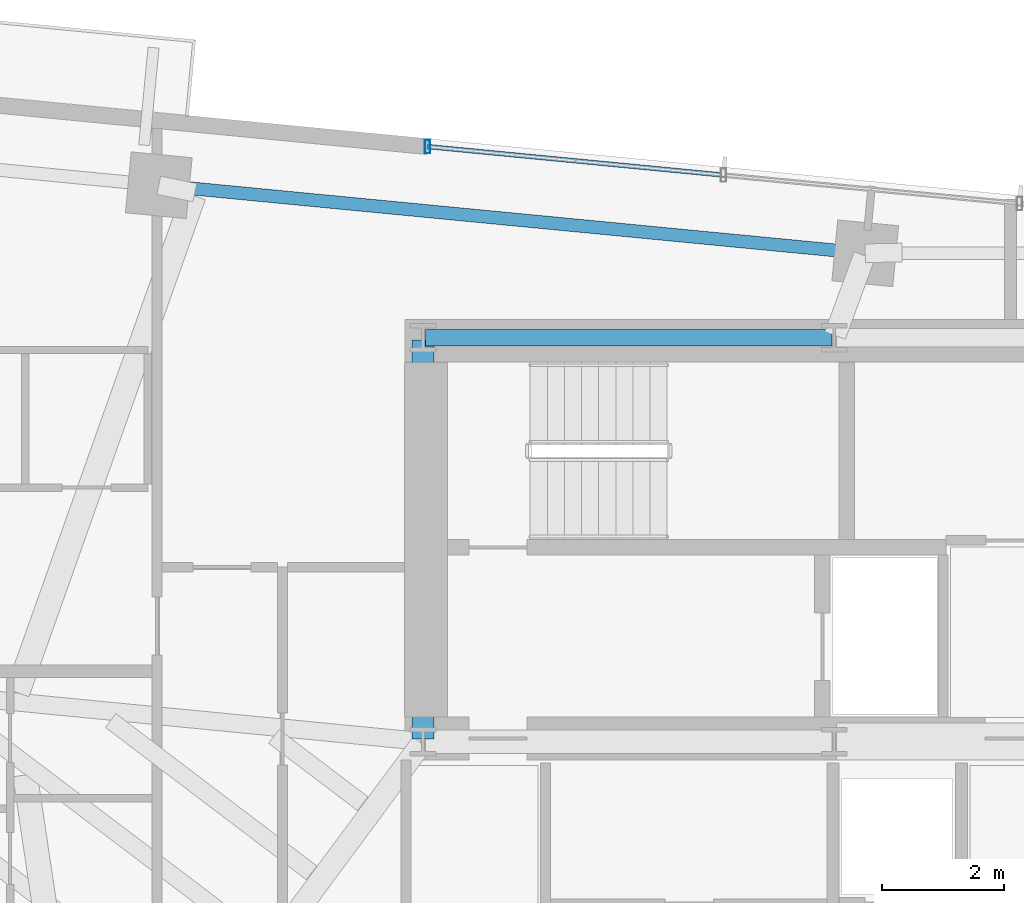
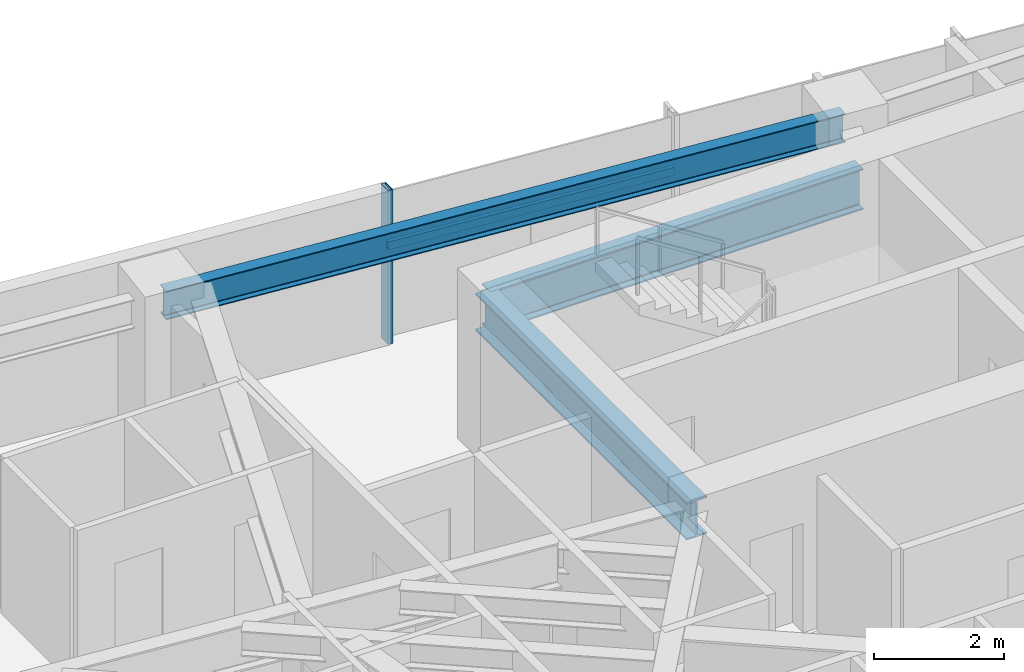
# One storey, part 7 of 20: 3 beams, 2 members, 1 element without a shape of its own.
"""IFC4 building model written with IfcOpenShell, lengths in metres."""

import ifcopenshell
import ifcopenshell.guid

model = None  # the IFC model being written
_history = None  # IfcOwnerHistory: only IFC2X3 demands one
_inside = {}  # id of a spatial element -> (the spatial element, [elements in it])
_under = {}  # id of a project, library or spatial element -> (it, [spatial elements below it])
_declared = {}  # id of a project -> (the project, [libraries it declares])
_typed = {}  # id of a type object -> (the type object, [elements of that type])
_made_of = {}  # id of a material, layer set ... -> (it, [elements and type objects made of it])


def new_model(schema):
    """Start an empty IFC model of exactly this schema.

    Asked for "IFC4X3", IfcOpenShell would pick the latest addendum, in which some entities
    have other attributes; the version numbers below select the first issue.
    IFC2X3 requires an IfcOwnerHistory on every rooted entity: one is made here for all.
    """
    global model, _history
    if schema == "IFC4X3":
        model = ifcopenshell.file(schema_version=(4, 3, 0, 0))
    else:
        model = ifcopenshell.file(schema=schema)
    _inside.clear()
    _under.clear()
    _declared.clear()
    _typed.clear()
    _made_of.clear()
    _history = None
    if model.schema == "IFC2X3":
        org = make("IfcOrganization", Name="unknown")
        user = make(
            "IfcPersonAndOrganization",
            ThePerson=make("IfcPerson", FamilyName="unknown"),
            TheOrganization=org,
        )
        app = make(
            "IfcApplication",
            ApplicationDeveloper=org,
            Version="unknown",
            ApplicationFullName="unknown",
            ApplicationIdentifier="unknown",
        )
        _history = make(
            "IfcOwnerHistory",
            OwningUser=user,
            OwningApplication=app,
            ChangeAction="ADDED",
            CreationDate=0,
        )
    return model


def make(cls, **values):
    """One entity of the class cls with the attributes given. An attribute that is None is left unset."""
    return model.create_entity(
        cls, **{name: value for name, value in values.items() if value is not None}
    )


def rooted(cls, **values):
    """An entity with a GlobalId (a new one), such as an element, a storey or a relation."""
    return make(cls, GlobalId=ifcopenshell.guid.new(), OwnerHistory=_history, **values)


def si_unit(unit_type, name, prefix=None):
    """IfcSIUnit, for example si_unit("LENGTHUNIT", "METRE", prefix="MILLI")."""
    return make("IfcSIUnit", UnitType=unit_type, Prefix=prefix, Name=name)


def assignment(units):
    """IfcUnitAssignment: the units of a project."""
    return None if units is None else make("IfcUnitAssignment", Units=units)


def point(xyz):
    """IfcCartesianPoint."""
    return None if xyz is None else make("IfcCartesianPoint", Coordinates=xyz)


def direction(xyz):
    """IfcDirection."""
    return None if xyz is None else make("IfcDirection", DirectionRatios=xyz)


def frame(location, z_axis=None, x_axis=None):
    """IfcAxis2Placement3D, a coordinate frame: its origin and axes. An axis left out is left unset."""
    return make(
        "IfcAxis2Placement3D",
        Location=point(location),
        Axis=direction(z_axis),
        RefDirection=direction(x_axis),
    )


def frame_2d(location, x_axis=None):
    """IfcAxis2Placement2D, a coordinate frame in the plane: its origin and x axis."""
    return make(
        "IfcAxis2Placement2D", Location=point(location), RefDirection=direction(x_axis)
    )


def origin():
    """The frame at (0, 0, 0) with its axes left unset."""
    return frame((0.0, 0.0, 0.0))


def origin_2d():
    """The frame at (0, 0) in the plane with its x axis left unset."""
    return frame_2d((0.0, 0.0))


def place(relative_to, where):
    """IfcLocalPlacement: puts the frame where relative to a parent placement (None: the world)."""
    return make(
        "IfcLocalPlacement", PlacementRelTo=relative_to, RelativePlacement=where
    )


def context(
    kind, dimensions, precision=None, world=None, true_north=None, identifier=None
):
    """IfcGeometricRepresentationContext, for example the 3D "Model" context."""
    return make(
        "IfcGeometricRepresentationContext",
        ContextIdentifier=identifier,
        ContextType=kind,
        CoordinateSpaceDimension=dimensions,
        Precision=precision,
        WorldCoordinateSystem=world,
        TrueNorth=true_north,
    )


def subcontext(parent, identifier, kind, view, scale=None):
    """IfcGeometricRepresentationSubContext, for example "Body" below "Model"."""
    return make(
        "IfcGeometricRepresentationSubContext",
        ContextIdentifier=identifier,
        ContextType=kind,
        ParentContext=parent,
        TargetScale=scale,
        TargetView=view,
    )


def project(units=None, contexts=None):
    """IfcProject with its units and contexts."""
    return rooted(
        "IfcProject",
        Name="project",
        RepresentationContexts=contexts,
        UnitsInContext=assignment(units),
    )


def spatial(cls, under=None, at=None, **own):
    """A site, building, storey or space (cls), placed at a placement, below another one or the project."""
    s = rooted(cls, ObjectPlacement=at, **own)
    if under is not None:
        _under.setdefault(under.id(), (under, []))[1].append(s)
    return s


def profile(cls, at=None, kind="AREA", **sizes):
    """A parametric profile (cls). Its sizes go by their IFC names, for example OverallWidth=200.0."""
    return make(cls, ProfileType=kind, Position=at, **sizes)


def hollow_rectangle(**sizes):
    """IfcRectangleHollowProfileDef."""
    return profile("IfcRectangleHollowProfileDef", **sizes)


def i_section(**sizes):
    """IfcIShapeProfileDef."""
    return profile("IfcIShapeProfileDef", **sizes)


def extrude(swept, where, along, depth):
    """IfcExtrudedAreaSolid: the profile swept, set in the frame where, extruded along a direction by depth."""
    return make(
        "IfcExtrudedAreaSolid",
        SweptArea=swept,
        Position=where,
        ExtrudedDirection=direction(along),
        Depth=depth,
    )


def shape(context_of_items, identifier, shape_type, items):
    """IfcShapeRepresentation: the items that make up one representation, for example the "Body"."""
    return make(
        "IfcShapeRepresentation",
        ContextOfItems=context_of_items,
        RepresentationIdentifier=identifier,
        RepresentationType=shape_type,
        Items=items,
    )


def source(mapping_origin, context_of_items, identifier, shape_type, items):
    """IfcRepresentationMap: a shape defined once, which mapped items show again and again."""
    return make(
        "IfcRepresentationMap",
        MappingOrigin=mapping_origin,
        MappedRepresentation=shape(context_of_items, identifier, shape_type, items),
    )


def transform(
    local_origin,
    x_axis=None,
    y_axis=None,
    z_axis=None,
    scale=None,
    scale2=None,
    scale3=None,
    uniform=True,
):
    """IfcCartesianTransformationOperator3D, or its non-uniform kind. x_axis, y_axis, z_axis: its Axis1, 2, 3."""
    if uniform:
        return make(
            "IfcCartesianTransformationOperator3D",
            Axis1=direction(x_axis),
            Axis2=direction(y_axis),
            LocalOrigin=point(local_origin),
            Scale=scale,
            Axis3=direction(z_axis),
        )
    return make(
        "IfcCartesianTransformationOperator3DnonUniform",
        Axis1=direction(x_axis),
        Axis2=direction(y_axis),
        LocalOrigin=point(local_origin),
        Scale=scale,
        Axis3=direction(z_axis),
        Scale2=scale2,
        Scale3=scale3,
    )


def mapped(mapping_source, mapping_target):
    """IfcMappedItem: shows the shape of a source again, moved by a transform."""
    return make(
        "IfcMappedItem", MappingSource=mapping_source, MappingTarget=mapping_target
    )


def material(Name=None, Category=None):
    """IfcMaterial."""
    return make("IfcMaterial", Name=Name, Category=Category)


def material_profile(
    of_material, cross_section, Name=None, Category=None, Priority=None
):
    """IfcMaterialProfile: a cross section and its material."""
    return make(
        "IfcMaterialProfile",
        Name=Name,
        Material=of_material,
        Profile=cross_section,
        Priority=Priority,
        Category=Category,
    )


def profile_set(profiles, Name=None, composite=None):
    """IfcMaterialProfileSet."""
    return make(
        "IfcMaterialProfileSet",
        Name=Name,
        MaterialProfiles=profiles,
        CompositeProfile=composite,
    )


def made_of(thing, what):
    """Note that an element or type object is made of a material, layer set ...; save() writes the relation."""
    if what is not None:
        _made_of.setdefault(what.id(), (what, []))[1].append(thing)
    return thing


def type_object(cls, material=None, **own):
    """A type object (cls), such as IfcWallType, which elements share."""
    return made_of(rooted(cls, **own), material)


def type_shapes(of_type, sources):
    """Give a type object the sources (RepresentationMaps) that its elements show as mapped items."""
    of_type.RepresentationMaps = sources


def element(
    cls,
    number,
    at=None,
    inside=None,
    cuts=None,
    type_object=None,
    material=None,
    context=None,
    identifier="Body",
    shape_type=None,
    held_by="IfcProductDefinitionShape",
    body=None,
    shapes=None,
    **own,
):
    """One element of the class cls, such as IfcWall. Its Tag is "e" and its number.

    at: its placement. inside: the storey or other place that contains it. cuts: it is an
    opening in that element (IfcRelVoidsElement). A single representation is given by context,
    identifier, shape_type and body (its items); several are given by shapes. held_by: the class
    of the entity that holds the representations. save() writes the other relations.
    """
    e = rooted(cls, Tag="e%d" % number, ObjectPlacement=at, **own)
    if body is not None:
        shapes = [shape(context, identifier, shape_type, body)]
    if shapes is not None:
        e.Representation = make(held_by, Representations=shapes)
    if inside is not None:
        _inside.setdefault(inside.id(), (inside, []))[1].append(e)
    if cuts is not None:
        rooted(
            "IfcRelVoidsElement", RelatingBuildingElement=cuts, RelatedOpeningElement=e
        )
    if type_object is not None:
        _typed.setdefault(type_object.id(), (type_object, []))[1].append(e)
    return made_of(e, material)


def aggregate(whole, parts):
    """IfcRelAggregates: a whole, such as a stair, and the parts it consists of."""
    return rooted("IfcRelAggregates", RelatingObject=whole, RelatedObjects=parts)


def save(model, path):
    """Write the relations noted so far, then the file.

    IfcRelAggregates (storeys below a building ...), IfcRelContainedInSpatialStructure (elements
    in a storey), IfcRelDefinesByType, IfcRelAssociatesMaterial and IfcRelDeclares: one each for
    every whole, place, type object, material and project.
    """
    for whole, parts in _under.values():
        aggregate(whole, parts)
    for where, things in _inside.values():
        rooted(
            "IfcRelContainedInSpatialStructure",
            RelatedElements=things,
            RelatingStructure=where,
        )
    for kind, things in _typed.values():
        rooted("IfcRelDefinesByType", RelatedObjects=things, RelatingType=kind)
    for what, things in _made_of.values():
        rooted("IfcRelAssociatesMaterial", RelatedObjects=things, RelatingMaterial=what)
    for by, libraries in _declared.values():
        rooted("IfcRelDeclares", RelatingContext=by, RelatedDefinitions=libraries)
    model.write(path)


model = new_model("IFC4")

# Units and contexts
model_context = context("Model", 3, precision=1e-05, world=origin(), true_north=direction((0.0, 1.0)))
body_context = subcontext(model_context, "Body", "Model", "MODEL_VIEW")
ifc_project = project(units=[si_unit("LENGTHUNIT", "METRE"), si_unit("AREAUNIT", "SQUARE_METRE"), si_unit("VOLUMEUNIT", "CUBIC_METRE"), si_unit("PLANEANGLEUNIT", "RADIAN"), si_unit("MASSUNIT", "GRAM", prefix="KILO")], contexts=[model_context])

# Site, building, storey
site_placement = place(None, origin())
site = spatial("IfcSite", under=ifc_project, at=site_placement, CompositionType="ELEMENT")
building_placement = place(site_placement, origin())
building = spatial("IfcBuilding", under=site, at=building_placement, Name="Astriad Promenade Condominiums", CompositionType="ELEMENT")
storey_placement = place(building_placement, frame((0.0, 0.0, 159.800048828125)))
storey = spatial("IfcBuildingStorey", under=building, at=storey_placement, Name="L46", CompositionType="ELEMENT", Elevation=159.800048828125)

# Beams
ifc_material_1 = material(Name="Steel ASTM A992 Grade 50", Category="steel")
ifc_material_profile_1 = material_profile(ifc_material_1, i_section(OverallWidth=0.267822265625, OverallDepth=0.76953125, WebThickness=0.015625, FlangeThickness=0.025390625, FilletRadius=0.021484375, at=origin_2d()), Name="W30X132")
ifc_profile_set_1 = profile_set([ifc_material_profile_1], Name="Steel ASTM A992 Grade 50")
beam_type_1 = type_object("IfcBeamType", Name="STEEL FLOOR GIRDER W30X132", PredefinedType="BEAM", material=ifc_profile_set_1)
shared_shape_1 = source(origin(), body_context, "Body", "SweptSolid", [
    extrude(i_section(OverallWidth=0.267822265625, OverallDepth=0.76953125, WebThickness=0.015625, FlangeThickness=0.025390625, FilletRadius=0.021484375, at=origin_2d()), origin(), (0.0, 0.0, 1.0), 6.64013671875),
])
type_shapes(beam_type_1, [shared_shape_1])
beam_1_placement = place(storey_placement, frame((26.43994140625, 24.0, 2.51513671875), z_axis=(1.0, 0.0, 0.0), x_axis=(0.0, 1.0, 0.0)))
element("IfcBeam", 1, at=beam_1_placement, inside=storey, type_object=beam_type_1, Name="Core Ring Beam CG-N1-L46", PredefinedType="BEAM", context=body_context, shape_type="MappedRepresentation", body=[
    mapped(shared_shape_1, transform((0.0, 0.0, 0.0), scale=1.0)),
])
ifc_material_profile_2 = material_profile(ifc_material_1, i_section(OverallWidth=0.35791015625, OverallDepth=0.706298828125, WebThickness=0.018310546875, FlangeThickness=0.0302734375, FilletRadius=0.020263671875, at=origin_2d()), Name="W27X178")
ifc_profile_set_2 = profile_set([ifc_material_profile_2], Name="Steel ASTM A992 Grade 50")
beam_type_2 = type_object("IfcBeamType", Name="STEEL FLOOR GIRDER W27X178", PredefinedType="BEAM", material=ifc_profile_set_2)
shared_shape_2 = source(origin(), body_context, "Body", "SweptSolid", [
    extrude(i_section(OverallWidth=0.35791015625, OverallDepth=0.706298828125, WebThickness=0.018310546875, FlangeThickness=0.0302734375, FilletRadius=0.020263671875, at=origin_2d()), origin(), (0.0, 0.0, 1.0), 6.52001953125),
])
type_shapes(beam_type_2, [shared_shape_2])
beam_2_placement = place(storey_placement, frame((26.39990234375, 17.43994140625, 2.546630859375), z_axis=(0.0, 1.0, 0.0), x_axis=(-1.0, 0.0, 0.0)))
element("IfcBeam", 2, at=beam_2_placement, inside=storey, type_object=beam_type_2, Name="Core Ring Beam CG-W1-L46", PredefinedType="BEAM", context=body_context, shape_type="MappedRepresentation", body=[
    mapped(shared_shape_2, transform((0.0, 0.0, 0.0), scale=1.0)),
])
ifc_material_profile_3 = material_profile(ifc_material_1, i_section(OverallWidth=0.210693359375, OverallDepth=0.53955078125, WebThickness=0.01171875, FlangeThickness=0.018798828125, FilletRadius=0.0166015625, at=origin_2d()), Name="W21X73")
ifc_profile_set_3 = profile_set([ifc_material_profile_3], Name="Steel ASTM A992 Grade 50")
beam_type_3 = type_object("IfcBeamType", Name="STEEL SPANDREL BEAM W21X73", PredefinedType="SPANDREL", material=ifc_profile_set_3)
shared_shape_3 = source(origin(), body_context, "Body", "SweptSolid", [
    extrude(i_section(OverallWidth=0.210693359375, OverallDepth=0.53955078125, WebThickness=0.01171875, FlangeThickness=0.018798828125, FilletRadius=0.0166015625, at=origin_2d()), origin(), (0.0, 0.0, 1.0), 11.52001953125),
])
type_shapes(beam_type_3, [shared_shape_3])
beam_3_placement = place(storey_placement, frame((33.58642578125, 25.384033203125, 2.63037109375), z_axis=(-0.9953953902, 0.095854145285, 0.0), x_axis=(-0.095854145285, -0.9953953902, 0.0)))
element("IfcBeam", 3, at=beam_3_placement, inside=storey, type_object=beam_type_3, Name="Perimeter Spandrel Beam SP-N2-L46", PredefinedType="SPANDREL", context=body_context, shape_type="MappedRepresentation", body=[
    mapped(shared_shape_3, transform((0.0, 0.0, 0.0), scale=1.0)),
])

# Curtain wall, members
ifc_material_2 = material(Name="Anodised aluminium Black Dark Glass Unitised", Category="aluminium")
curtain_wall_type = type_object("IfcCurtainWallType", Name="CW-B34-DARK", PredefinedType="USERDEFINED", material=ifc_material_2)
curtain_wall_placement = place(storey_placement, origin())
curtain_wall = element("IfcCurtainWall", 4, at=curtain_wall_placement, inside=storey, type_object=curtain_wall_type, Name="CW-L46-N", ObjectType="UNITISED_CURTAIN_WALL", PredefinedType="USERDEFINED")
ifc_material_3 = material(Name="Anodised aluminium 6063-T6 Black", Category="aluminium")
ifc_material_profile_4 = material_profile(ifc_material_3, hollow_rectangle(XDim=0.074951171875, YDim=0.14990234375, WallThickness=0.004150390625, at=origin_2d()), Name="ALU-TRN-75X150")
ifc_profile_set_4 = profile_set([ifc_material_profile_4], Name="Anodised aluminium 6063-T6 Black")
member_type_1 = type_object("IfcMemberType", Name="TRN-ALU-TRN-75X150", PredefinedType="USERDEFINED", material=ifc_profile_set_4)
shared_shape_4 = source(origin(), body_context, "Body", "SweptSolid", [
    extrude(hollow_rectangle(XDim=0.074951171875, YDim=0.14990234375, WallThickness=0.004150390625, at=origin_2d()), origin(), (0.0, 0.0, 1.0), 4.860107421875),
])
type_shapes(member_type_1, [shared_shape_4])
member_1_placement = place(storey_placement, frame((26.470458984375, 27.124267578125, 1.7978515625), z_axis=(0.995396042559, -0.095847370639, 0.0), x_axis=(0.095847370639, 0.995396042559, 0.0)))
member_1 = element("IfcMember", 5, at=member_1_placement, type_object=member_type_1, Name="CW-L46-N-TRN-00-0", ObjectType="TRANSOM", PredefinedType="USERDEFINED", context=body_context, shape_type="MappedRepresentation", body=[
    mapped(shared_shape_4, transform((0.0, 0.0, 0.0), scale=1.0)),
])
ifc_material_profile_5 = material_profile(ifc_material_3, hollow_rectangle(XDim=0.0849609375, YDim=0.219970703125, WallThickness=0.0048828125, at=origin_2d()), Name="ALU-MUL-85X220")
ifc_profile_set_5 = profile_set([ifc_material_profile_5], Name="Anodised aluminium 6063-T6 Black")
member_type_2 = type_object("IfcMemberType", Name="MUL-ALU-MUL-85X220", PredefinedType="MULLION", material=ifc_profile_set_5)
shared_shape_5 = source(origin(), body_context, "Body", "SweptSolid", [
    extrude(hollow_rectangle(XDim=0.0849609375, YDim=0.219970703125, WallThickness=0.0048828125, at=origin_2d()), origin(), (0.0, 0.0, 1.0), 2.89990234375),
])
type_shapes(member_type_2, [shared_shape_5])
member_2_placement = place(storey_placement, frame((26.470458984375, 27.124267578125, 0.0), z_axis=(0.0, 0.0, 1.0), x_axis=(1.0, 0.0, 0.0)))
member_2 = element("IfcMember", 6, at=member_2_placement, type_object=member_type_2, Name="CW-L46-N-MUL-00", PredefinedType="MULLION", context=body_context, shape_type="MappedRepresentation", body=[
    mapped(shared_shape_5, transform((0.0, 0.0, 0.0), scale=1.0)),
])
aggregate(curtain_wall, [member_2, member_1])

save(model, "model.ifc")
